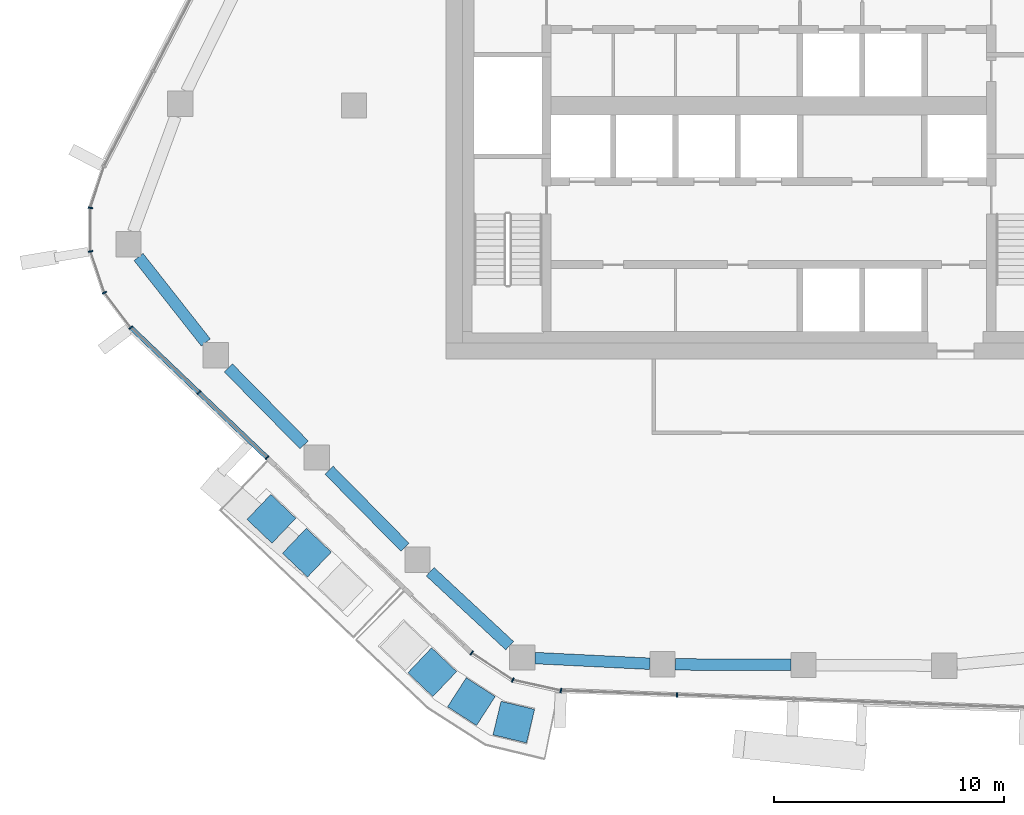
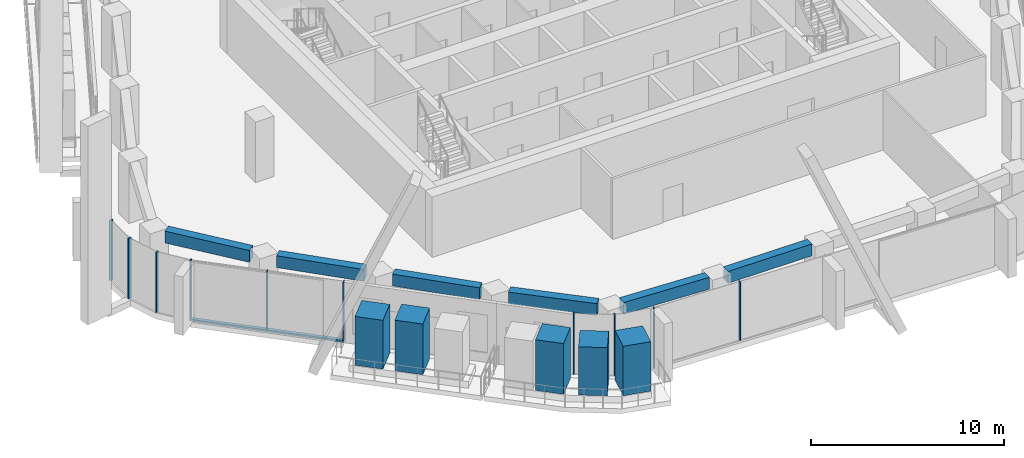
# One storey, part 2 of 20: 16 members, 6 beams, 4 elements without a shape of their own.
"""IFC4 building model written with IfcOpenShell, lengths in metres."""

from ifc_helpers import new_model, si_unit, direction, frame, origin, origin_2d, place, context, subcontext, project, spatial, rectangle, extrude, material, layer, layer_set, material_profile, profile_set, type_object, element, aggregate, save


model = new_model("IFC4")

# Units and contexts
model_context = context("Model", 3, precision=1e-05, world=origin(), true_north=direction((0.0, 1.0)))
body_context = subcontext(model_context, "Body", "Model", "MODEL_VIEW")
ifc_project = project(units=[si_unit("LENGTHUNIT", "METRE"), si_unit("AREAUNIT", "SQUARE_METRE"), si_unit("VOLUMEUNIT", "CUBIC_METRE"), si_unit("PLANEANGLEUNIT", "RADIAN"), si_unit("MASSUNIT", "GRAM", prefix="KILO")], contexts=[model_context])

# Site, building, storey
site_placement = place(None, origin())
site = spatial("IfcSite", under=ifc_project, at=site_placement, CompositionType="ELEMENT")
building_placement = place(site_placement, origin())
building = spatial("IfcBuilding", under=site, at=building_placement, Name="Dongbaek Canopy Tower", CompositionType="ELEMENT")
storey_placement = place(building_placement, frame((0.0, 0.0, 266.39990234375)))
storey = spatial("IfcBuildingStorey", under=building, at=storey_placement, Name="L56", CompositionType="ELEMENT", Elevation=266.39990234375)

# Curtain wall, members
ifc_material_1 = material(Name="Aluminium 6063-T6 pale anodised", Category="aluminium")
ifc_layer = layer(ifc_material_1, 0.199951171875)
ifc_layer_set = layer_set([ifc_layer], Name="CW-1 unitised tower curtain wall")
curtain_wall_type = type_object("IfcCurtainWallType", Name="CW-1 unitised tower curtain wall", PredefinedType="NOTDEFINED", material=ifc_layer_set)
curtain_wall_1_placement = place(storey_placement, origin())
curtain_wall_1 = element("IfcCurtainWall", 1, at=curtain_wall_1_placement, inside=storey, type_object=curtain_wall_type, Name="CW-1 curtain wall K3.1", PredefinedType="NOTDEFINED")
ifc_material_2 = material(Name="Aluminium 6063-T6 pale anodised", Category="aluminium")
ifc_material_profile_1 = material_profile(ifc_material_2, rectangle(XDim=0.199951171875, YDim=0.06005859375, at=origin_2d()), Name="CW-1 mullion 60 x 200")
ifc_profile_set_1 = profile_set([ifc_material_profile_1], Name="Aluminium 6063-T6 pale anodised")
member_type_1 = type_object("IfcMemberType", Name="CW-1 mullion 60 x 200", PredefinedType="MULLION", material=ifc_profile_set_1)
member_1_placement = place(storey_placement, frame((-29.439697265625, -4.4384765625, 0.0), z_axis=(0.0, 0.0, 1.0), x_axis=(-0.987688302002, 0.156434708705, 0.0)))
member_1 = element("IfcMember", 2, at=member_1_placement, type_object=member_type_1, Name="CW-1 mullion K3.1.2", PredefinedType="MULLION", context=body_context, shape_type="SweptSolid", body=[
    extrude(rectangle(XDim=0.199951171875, YDim=0.06005859375, at=origin_2d()), origin(), (0.0, 0.0, 1.0), 3.820068359375),
])
member_2_placement = place(storey_placement, frame((-29.432373046875, -6.3291015625, 0.0), z_axis=(0.0, 0.0, 1.0), x_axis=(-0.986446706915, -0.164081974685, 0.0)))
member_2 = element("IfcMember", 3, at=member_2_placement, type_object=member_type_1, Name="CW-1 mullion K3.1.3", PredefinedType="MULLION", context=body_context, shape_type="SweptSolid", body=[
    extrude(rectangle(XDim=0.199951171875, YDim=0.06005859375, at=origin_2d()), origin(), (0.0, 0.0, 1.0), 3.820068359375),
])
member_3_placement = place(storey_placement, frame((-28.8271484375, -8.120361328125, 0.0), z_axis=(0.0, 0.0, 1.0), x_axis=(-0.883864989428, -0.467742108927, 0.0)))
member_3 = element("IfcMember", 4, at=member_3_placement, type_object=member_type_1, Name="CW-1 mullion K3.1.4", PredefinedType="MULLION", context=body_context, shape_type="SweptSolid", body=[
    extrude(rectangle(XDim=0.199951171875, YDim=0.06005859375, at=origin_2d()), origin(), (0.0, 0.0, 1.0), 3.820068359375),
])
member_4_placement = place(storey_placement, frame((-27.681640625, -9.634521484375, 0.0), z_axis=(0.0, 0.0, 1.0), x_axis=(-0.797480818021, -0.603344300453, 0.0)))
member_4 = element("IfcMember", 5, at=member_4_placement, type_object=member_type_1, Name="CW-1 mullion K3.1.5", PredefinedType="MULLION", context=body_context, shape_type="SweptSolid", body=[
    extrude(rectangle(XDim=0.199951171875, YDim=0.06005859375, at=origin_2d()), origin(), (0.0, 0.0, 1.0), 3.820068359375),
])
aggregate(curtain_wall_1, [member_1, member_2, member_3, member_4])

curtain_wall_2_placement = place(storey_placement, origin())
curtain_wall_2 = element("IfcCurtainWall", 6, at=curtain_wall_2_placement, inside=storey, type_object=curtain_wall_type, Name="CW-1 curtain wall F3.1", PredefinedType="NOTDEFINED")
member_5_placement = place(storey_placement, frame((-24.727294921875, -12.45458984375, 0.1201171875), z_axis=(0.0, 0.0, 1.0), x_axis=(-0.690481624386, -0.723349933562, 0.0)))
member_5 = element("IfcMember", 7, at=member_5_placement, type_object=member_type_1, Name="CW-1 mullion F3.1.2", PredefinedType="MULLION", context=body_context, shape_type="SweptSolid", body=[
    extrude(rectangle(XDim=0.199951171875, YDim=0.06005859375, at=origin_2d()), origin(), (0.0, 0.0, 1.0), 3.699951171875),
])
member_6_placement = place(storey_placement, frame((-21.767333984375, -15.2802734375, 0.1201171875), z_axis=(0.0, 0.0, 1.0), x_axis=(-0.690481624386, -0.723349933562, 0.0)))
member_6 = element("IfcMember", 8, at=member_6_placement, type_object=member_type_1, Name="CW-1 mullion F3.1.3", PredefinedType="MULLION", context=body_context, shape_type="SweptSolid", body=[
    extrude(rectangle(XDim=0.199951171875, YDim=0.06005859375, at=origin_2d()), origin(), (0.0, 0.0, 1.0), 3.699951171875),
])

curtain_wall_3_placement = place(storey_placement, origin())
curtain_wall_3 = element("IfcCurtainWall", 9, at=curtain_wall_3_placement, inside=storey, type_object=curtain_wall_type, Name="CW-1 curtain wall K4.1", PredefinedType="NOTDEFINED")
member_7_placement = place(storey_placement, frame((-12.8935546875, -23.750732421875, 0.0), z_axis=(0.0, 0.0, 1.0), x_axis=(-0.548723498624, -0.836003900743, 0.0)))
member_7 = element("IfcMember", 10, at=member_7_placement, type_object=member_type_1, Name="CW-1 mullion K4.1.1", PredefinedType="MULLION", context=body_context, shape_type="SweptSolid", body=[
    extrude(rectangle(XDim=0.199951171875, YDim=0.06005859375, at=origin_2d()), origin(), (0.0, 0.0, 1.0), 3.820068359375),
])
member_8_placement = place(storey_placement, frame((-11.107421875, -24.923095703125, 0.0), z_axis=(0.0, 0.0, 1.0), x_axis=(-0.388974769199, -0.921248407828, 0.0)))
member_8 = element("IfcMember", 11, at=member_8_placement, type_object=member_type_1, Name="CW-1 mullion K4.1.2", PredefinedType="MULLION", context=body_context, shape_type="SweptSolid", body=[
    extrude(rectangle(XDim=0.199951171875, YDim=0.06005859375, at=origin_2d()), origin(), (0.0, 0.0, 1.0), 3.820068359375),
])
member_9_placement = place(storey_placement, frame((-9.021484375, -25.385498046875, 0.0), z_axis=(0.0, 0.0, 1.0), x_axis=(-0.216473003073, -0.976288604328, 0.0)))
member_9 = element("IfcMember", 12, at=member_9_placement, type_object=member_type_1, Name="CW-1 mullion K4.1.3", PredefinedType="MULLION", context=body_context, shape_type="SweptSolid", body=[
    extrude(rectangle(XDim=0.199951171875, YDim=0.06005859375, at=origin_2d()), origin(), (0.0, 0.0, 1.0), 3.820068359375),
])
aggregate(curtain_wall_3, [member_7, member_8, member_9])

# Curtain wall, member
curtain_wall_4_placement = place(storey_placement, origin())
curtain_wall_4 = element("IfcCurtainWall", 13, at=curtain_wall_4_placement, inside=storey, type_object=curtain_wall_type, Name="CW-1 curtain wall F4.1", PredefinedType="NOTDEFINED")
member_10_placement = place(storey_placement, frame((-3.981689453125, -25.571533203125, 0.1201171875), z_axis=(0.0, 0.0, 1.0), x_axis=(-0.036873891921, -0.999319926798, 0.0)))
member_10 = element("IfcMember", 14, at=member_10_placement, type_object=member_type_1, Name="CW-1 mullion F4.1.2", PredefinedType="MULLION", context=body_context, shape_type="SweptSolid", body=[
    extrude(rectangle(XDim=0.199951171875, YDim=0.06005859375, at=origin_2d()), origin(), (0.0, 0.0, 1.0), 3.699951171875),
])
aggregate(curtain_wall_4, [member_10])

# Member
ifc_material_3 = material(Name="Aluminium 6063-T6 pale anodised", Category="aluminium")
ifc_material_profile_2 = material_profile(ifc_material_3, rectangle(XDim=0.199951171875, YDim=0.1201171875, at=origin_2d()), Name="CW-1 transom 120 x 200")
ifc_profile_set_2 = profile_set([ifc_material_profile_2], Name="Aluminium 6063-T6 pale anodised")
member_type_2 = type_object("IfcMemberType", Name="CW-1 transom 120 x 200", PredefinedType="USERDEFINED", material=ifc_profile_set_2)
member_11_placement = place(storey_placement, frame((-27.681640625, -9.634521484375, 0.06005859375), z_axis=(0.723338596824, -0.690493500581, 0.0), x_axis=(0.690493500581, 0.723338596824, 0.0)))
member_11 = element("IfcMember", 15, at=member_11_placement, type_object=member_type_2, Name="CW-1 transom F3.1.1", ObjectType="TRANSOM", PredefinedType="USERDEFINED", context=body_context, shape_type="SweptSolid", body=[
    extrude(rectangle(XDim=0.199951171875, YDim=0.1201171875, at=origin_2d()), origin(), (0.0, 0.0, 1.0), 8.176513671875),
])

aggregate(curtain_wall_2, [member_5, member_6, member_11])

# Beams
ifc_material_4 = material(Name="Concrete C70", Category="concrete")
ifc_material_profile_3 = material_profile(ifc_material_4, rectangle(XDim=0.5, YDim=0.75, at=origin_2d()), Name="RC EDGE BEAM 500x750 C70")
ifc_profile_set_3 = profile_set([ifc_material_profile_3], Name="Concrete C70")
beam_type = type_object("IfcBeamType", Name="RC EDGE BEAM 500x750 C70", PredefinedType="BEAM", material=ifc_profile_set_3)
beam_1_placement = place(storey_placement, frame((0.951904296875, -24.269775390625, 3.445068359375), z_axis=(-0.999990816155, 0.0042857445, 0.0), x_axis=(-0.0042857445, -0.999990816155, 0.0)))
element("IfcBeam", 16, at=beam_1_placement, inside=storey, type_object=beam_type, Name="EDGEBEAM:L56:02", PredefinedType="BEAM", context=body_context, shape_type="SweptSolid", body=[
    extrude(rectangle(XDim=0.5, YDim=0.75, at=origin_2d()), origin(), (0.0, 0.0, 1.0), 5.012939453125),
])
beam_2_placement = place(storey_placement, frame((-5.160888671875, -24.218994140625, 3.445068359375), z_axis=(-0.998786614333, 0.049247325106, 0.0), x_axis=(-0.049247325106, -0.998786614333, 0.0)))
element("IfcBeam", 17, at=beam_2_placement, inside=storey, type_object=beam_type, Name="EDGEBEAM:L56:03", PredefinedType="BEAM", context=body_context, shape_type="SweptSolid", body=[
    extrude(rectangle(XDim=0.5, YDim=0.75, at=origin_2d()), origin(), (0.0, 0.0, 1.0), 4.9921875),
])
beam_3_placement = place(storey_placement, frame((-11.2470703125, -23.434326171875, 3.445068359375), z_axis=(-0.732241423494, 0.681045151014, 0.0), x_axis=(-0.681045151014, -0.732241423494, 0.0)))
element("IfcBeam", 18, at=beam_3_placement, inside=storey, type_object=beam_type, Name="EDGEBEAM:L56:04", PredefinedType="BEAM", context=body_context, shape_type="SweptSolid", body=[
    extrude(rectangle(XDim=0.5, YDim=0.75, at=origin_2d()), origin(), (0.0, 0.0, 1.0), 4.71142578125),
])
beam_4_placement = place(storey_placement, frame((-15.788818359375, -19.1640625, 3.445068359375), z_axis=(-0.701699383964, 0.712473139525, 0.0), x_axis=(-0.712473139525, -0.701699383964, 0.0)))
element("IfcBeam", 19, at=beam_4_placement, inside=storey, type_object=beam_type, Name="EDGEBEAM:L56:05", PredefinedType="BEAM", context=body_context, shape_type="SweptSolid", body=[
    extrude(rectangle(XDim=0.5, YDim=0.75, at=origin_2d()), origin(), (0.0, 0.0, 1.0), 4.690673828125),
])
beam_5_placement = place(storey_placement, frame((-20.16357421875, -14.721923828125, 3.445068359375), z_axis=(-0.701621732034, 0.712549608896, 0.0), x_axis=(-0.712549608896, -0.701621732034, 0.0)))
element("IfcBeam", 20, at=beam_5_placement, inside=storey, type_object=beam_type, Name="EDGEBEAM:L56:06", PredefinedType="BEAM", context=body_context, shape_type="SweptSolid", body=[
    extrude(rectangle(XDim=0.5, YDim=0.75, at=origin_2d()), origin(), (0.0, 0.0, 1.0), 4.691650390625),
])
beam_6_placement = place(storey_placement, frame((-24.429931640625, -10.279052734375, 3.445068359375), z_axis=(-0.618474671525, 0.785804734449, 0.0), x_axis=(-0.785804734449, -0.618474671525, 0.0)))
element("IfcBeam", 21, at=beam_6_placement, inside=storey, type_object=beam_type, Name="EDGEBEAM:L56:07", PredefinedType="BEAM", context=body_context, shape_type="SweptSolid", body=[
    extrude(rectangle(XDim=0.5, YDim=0.75, at=origin_2d()), origin(), (0.0, 0.0, 1.0), 4.719970703125),
])

# Members
ifc_material_5 = material(Name="Concrete C40/50 planter mass with planting", Category="concrete")
ifc_material_profile_4 = material_profile(ifc_material_5, rectangle(XDim=1.5, YDim=1.5, at=origin_2d()), Name="Terrace PLANTER shrub mass 1500 x 1500")
ifc_profile_set_4 = profile_set([ifc_material_profile_4], Name="Concrete C40/50 planter mass with planting")
member_type_3 = type_object("IfcMemberType", Name="Terrace PLANTER shrub mass 1500 x 1500", PredefinedType="USERDEFINED", material=ifc_profile_set_4)
member_12_placement = place(storey_placement, frame((-21.58251953125, -17.93115234375, 0.420166015625), z_axis=(0.0, 0.0, 1.0), x_axis=(-0.690481624386, -0.723349933562, 0.0)))
element("IfcMember", 22, at=member_12_placement, inside=storey, type_object=member_type_3, Name="Planter shrubs L56 2.1", ObjectType="PLANTER", PredefinedType="USERDEFINED", context=body_context, shape_type="SweptSolid", body=[
    extrude(rectangle(XDim=1.5, YDim=1.5, at=origin_2d()), origin(), (0.0, 0.0, 1.0), 3.08984375),
])
for number, where, z_axis, x_axis, name in (
    (23, (-20.043212890625, -19.400634765625, 0.420166015625), (0.0, 0.0, 1.0), (-0.690481624386, -0.723349933562, 0.0), "Planter shrubs L56 2.2"),
    (24, (-14.6044921875, -24.584716796875, 0.420166015625), (0.0, 0.0, 1.0), (-0.68895657281, -0.724802621948, 0.0), "Planter shrubs L56 6.2"),
):
    element("IfcMember", number, at=place(storey_placement, frame(where, z_axis=z_axis, x_axis=x_axis)), inside=storey, type_object=member_type_3, Name=name, ObjectType="PLANTER", PredefinedType="USERDEFINED", context=body_context, shape_type="SweptSolid", body=[
        extrude(rectangle(XDim=1.5, YDim=1.5, at=origin_2d()), origin(), (0.0, 0.0, 1.0), 3.2099609375),
    ])
member_13_placement = place(storey_placement, frame((-12.906005859375, -25.863037109375, 0.420166015625), z_axis=(0.0, 0.0, 1.0), x_axis=(-0.542085208998, -0.840323524713, 0.0)))
element("IfcMember", 25, at=member_13_placement, inside=storey, type_object=member_type_3, Name="Planter shrubs L56 6.3", ObjectType="PLANTER", PredefinedType="USERDEFINED", context=body_context, shape_type="SweptSolid", body=[
    extrude(rectangle(XDim=1.5, YDim=1.5, at=origin_2d()), origin(), (0.0, 0.0, 1.0), 3.050048828125),
])
member_14_placement = place(storey_placement, frame((-11.06591796875, -26.75146484375, 0.420166015625), z_axis=(0.0, 0.0, 1.0), x_axis=(-0.234244066355, -0.972177821891, 0.0)))
element("IfcMember", 26, at=member_14_placement, inside=storey, type_object=member_type_3, Name="Planter shrubs L56 6.4", ObjectType="PLANTER", PredefinedType="USERDEFINED", context=body_context, shape_type="SweptSolid", body=[
    extrude(rectangle(XDim=1.5, YDim=1.5, at=origin_2d()), origin(), (0.0, 0.0, 1.0), 3.1298828125),
])

save(model, "model.ifc")
